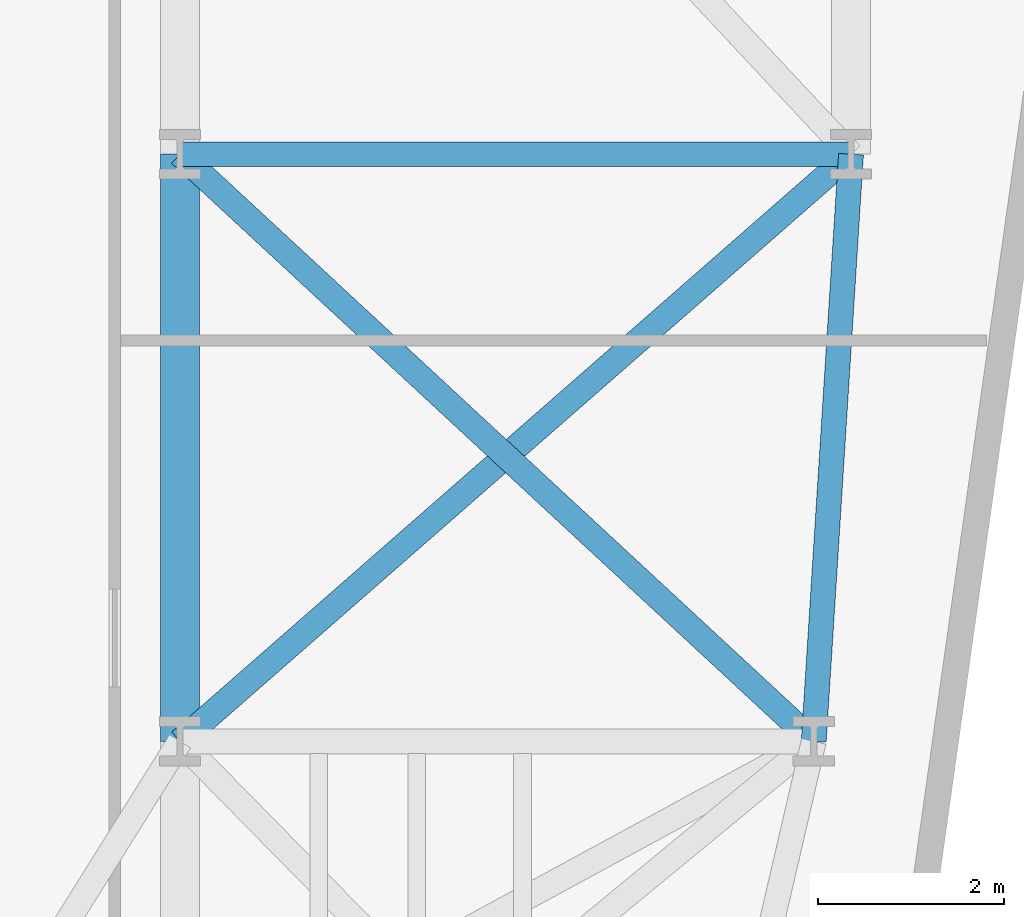
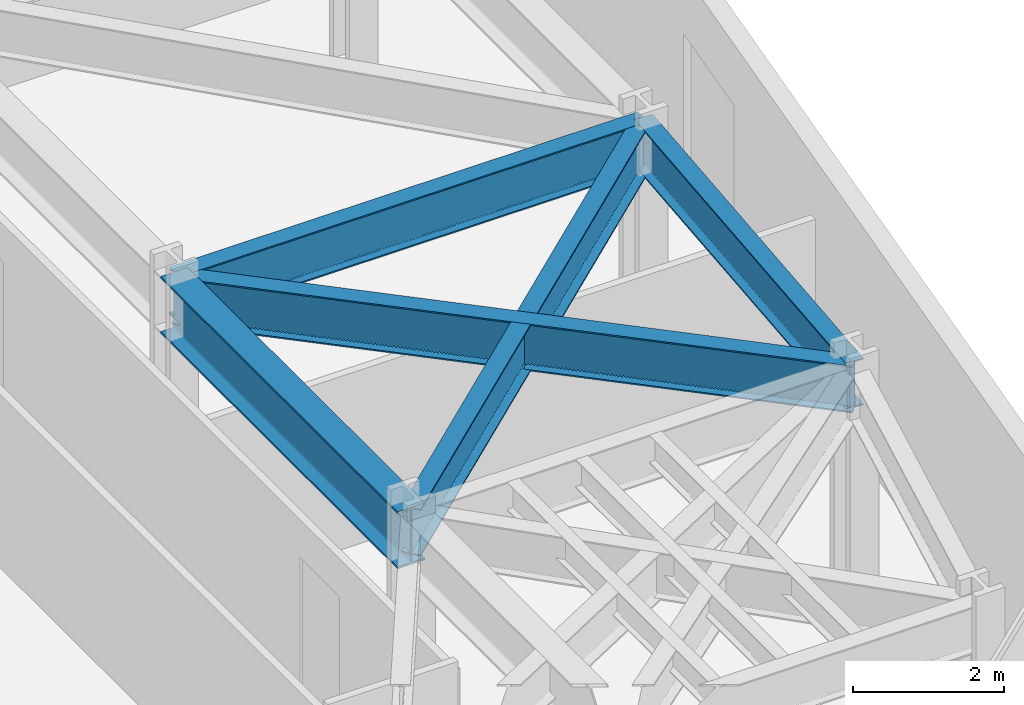
# One storey, part 14 of 24: 5 beams.
"""IFC4 building model written with IfcOpenShell, lengths in metres."""

from ifc_helpers import new_model, si_unit, direction, frame, origin, origin_2d, place, context, subcontext, project, spatial, i_section, extrude, material, material_profile, profile_set, type_object, element, save


model = new_model("IFC4")

# Units and contexts
model_context = context("Model", 3, precision=1e-05, world=origin(), true_north=direction((0.0, 1.0)))
body_context = subcontext(model_context, "Body", "Model", "MODEL_VIEW")
ifc_project = project(units=[si_unit("LENGTHUNIT", "METRE"), si_unit("AREAUNIT", "SQUARE_METRE"), si_unit("VOLUMEUNIT", "CUBIC_METRE"), si_unit("PLANEANGLEUNIT", "RADIAN"), si_unit("MASSUNIT", "GRAM", prefix="KILO")], contexts=[model_context])

# Site, building, storey
site_placement = place(None, origin())
site = spatial("IfcSite", under=ifc_project, at=site_placement, CompositionType="ELEMENT")
building_placement = place(site_placement, origin())
building = spatial("IfcBuilding", under=site, at=building_placement, Name="Kravanh Interchange Tower", CompositionType="ELEMENT")
storey_placement = place(building_placement, frame((0.0, 0.0, 45.5)))
storey = spatial("IfcBuildingStorey", under=building, at=storey_placement, Name="L10", CompositionType="ELEMENT", Elevation=45.5)

# Beams
ifc_material_1 = material(Name="Structural Steel S355", Category="steel")
ifc_material_profile_1 = material_profile(ifc_material_1, i_section(OverallWidth=0.41796875, OverallDepth=0.927001953125, WebThickness=0.019287109375, FlangeThickness=0.031982421875, FilletRadius=0.028076171875, at=origin_2d()), Name="W36X231")
ifc_profile_set_1 = profile_set([ifc_material_profile_1], Name="Structural Steel S355")
beam_type_1 = type_object("IfcBeamType", Name="Floor Beam W36X231 Structural Steel S355", PredefinedType="BEAM", material=ifc_profile_set_1)
beam_1_placement = place(storey_placement, frame((56.0, 14.5, 3.276611328125), z_axis=(0.0, -1.0, 0.0), x_axis=(1.0, 0.0, 0.0)))
element("IfcBeam", 1, at=beam_1_placement, inside=storey, type_object=beam_type_1, Name="L10 Primary Floor Girder 42", PredefinedType="BEAM", context=body_context, shape_type="SweptSolid", body=[
    extrude(i_section(OverallWidth=0.41796875, OverallDepth=0.927001953125, WebThickness=0.019287109375, FlangeThickness=0.031982421875, FilletRadius=0.028076171875, at=origin_2d()), origin(), (0.0, 0.0, 1.0), 6.300048828125),
])
ifc_material_2 = material(Name="Structural Steel S355", Category="steel")
ifc_material_profile_2 = material_profile(ifc_material_2, i_section(OverallWidth=0.26708984375, OverallDepth=0.761962890625, WebThickness=0.014404296875, FlangeThickness=0.021484375, FilletRadius=0.02490234375, at=origin_2d()), Name="W30X116")
ifc_profile_set_2 = profile_set([ifc_material_profile_2], Name="Structural Steel S355")
beam_type_2 = type_object("IfcBeamType", Name="Floor Spandrel W30X116 Structural Steel S355", PredefinedType="SPANDREL", material=ifc_profile_set_2)
beam_2_placement = place(storey_placement, frame((56.0, 14.5, 3.35888671875), z_axis=(1.0, 0.0, 0.0), x_axis=(0.0, 1.0, 0.0)))
element("IfcBeam", 2, at=beam_2_placement, inside=storey, type_object=beam_type_2, Name="L10 Perimeter Spandrel 43", PredefinedType="SPANDREL", context=body_context, shape_type="SweptSolid", body=[
    extrude(i_section(OverallWidth=0.26708984375, OverallDepth=0.761962890625, WebThickness=0.014404296875, FlangeThickness=0.021484375, FilletRadius=0.02490234375, at=origin_2d()), origin(), (0.0, 0.0, 1.0), 7.199951171875),
])
beam_3_placement = place(storey_placement, frame((56.0, 14.5, 3.35888671875), z_axis=(0.733561267923, -0.679623326706, 0.0), x_axis=(0.679623326706, 0.733561267923, 0.0)))
element("IfcBeam", 3, at=beam_3_placement, inside=storey, type_object=beam_type_2, Name="L10 Perimeter Spandrel 45", PredefinedType="SPANDREL", context=body_context, shape_type="SweptSolid", body=[
    extrude(i_section(OverallWidth=0.26708984375, OverallDepth=0.761962890625, WebThickness=0.014404296875, FlangeThickness=0.021484375, FilletRadius=0.02490234375, at=origin_2d()), origin(), (0.0, 0.0, 1.0), 9.27001953125),
])
beam_4_placement = place(storey_placement, frame((63.199951171875, 14.5, 3.35888671875), z_axis=(-0.063348576418, -0.99799146182, 0.0), x_axis=(0.99799146182, -0.063348576418, 0.0)))
element("IfcBeam", 4, at=beam_4_placement, inside=storey, type_object=beam_type_2, Name="L10 Perimeter Spandrel 46", PredefinedType="SPANDREL", context=body_context, shape_type="SweptSolid", body=[
    extrude(i_section(OverallWidth=0.26708984375, OverallDepth=0.761962890625, WebThickness=0.014404296875, FlangeThickness=0.021484375, FilletRadius=0.02490234375, at=origin_2d()), origin(), (0.0, 0.0, 1.0), 6.312744140625),
])
beam_5_placement = place(storey_placement, frame((63.199951171875, 14.5, 3.35888671875), z_axis=(-0.752571952274, -0.658510027752, 0.0), x_axis=(0.658510027752, -0.752571952274, 0.0)))
element("IfcBeam", 5, at=beam_5_placement, inside=storey, type_object=beam_type_2, Name="L10 Perimeter Spandrel 48", PredefinedType="SPANDREL", context=body_context, shape_type="SweptSolid", body=[
    extrude(i_section(OverallWidth=0.26708984375, OverallDepth=0.761962890625, WebThickness=0.014404296875, FlangeThickness=0.021484375, FilletRadius=0.02490234375, at=origin_2d()), origin(), (0.0, 0.0, 1.0), 9.567138671875),
])

save(model, "model.ifc")
